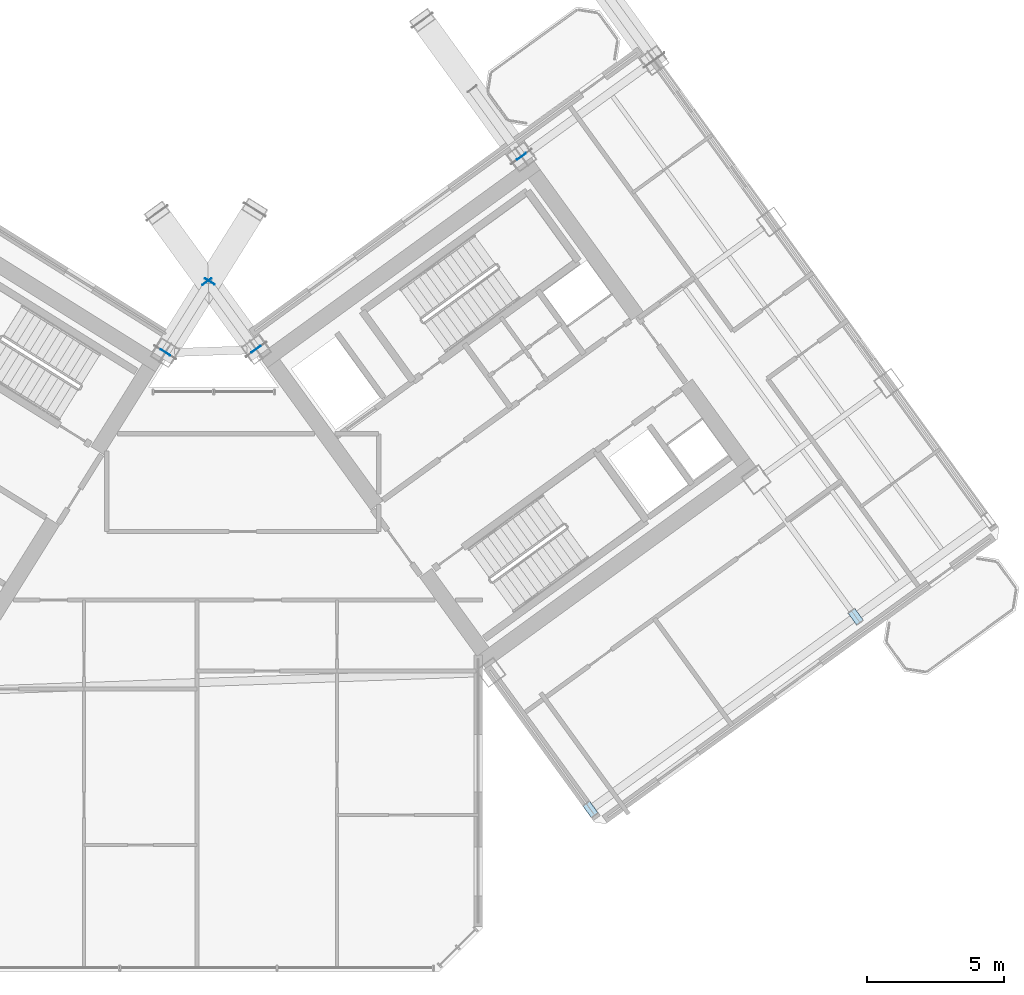
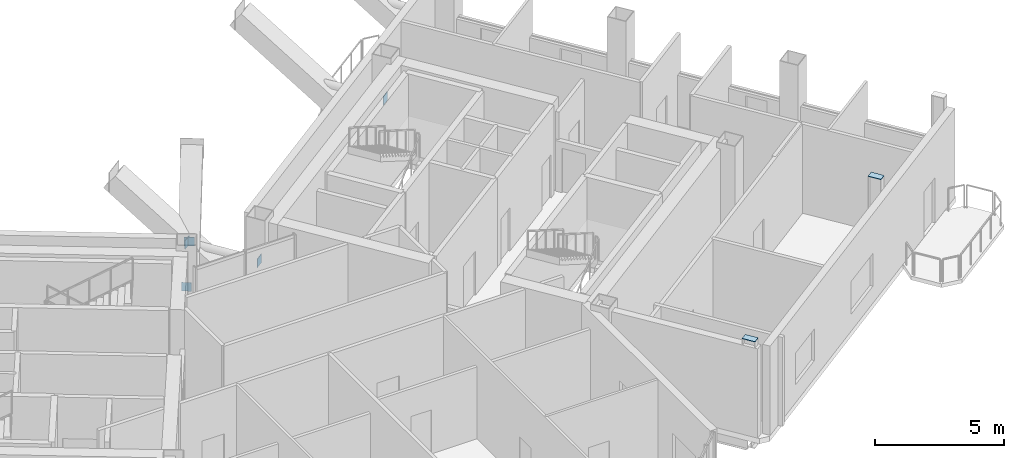
# One storey, part 19 of 34: 7 plates.
"""IFC4 building model written with IfcOpenShell, lengths in metres."""

import ifcopenshell
import ifcopenshell.guid

model = None  # the IFC model being written
_history = None  # IfcOwnerHistory: only IFC2X3 demands one
_inside = {}  # id of a spatial element -> (the spatial element, [elements in it])
_under = {}  # id of a project, library or spatial element -> (it, [spatial elements below it])
_declared = {}  # id of a project -> (the project, [libraries it declares])
_typed = {}  # id of a type object -> (the type object, [elements of that type])
_made_of = {}  # id of a material, layer set ... -> (it, [elements and type objects made of it])


def new_model(schema):
    """Start an empty IFC model of exactly this schema.

    Asked for "IFC4X3", IfcOpenShell would pick the latest addendum, in which some entities
    have other attributes; the version numbers below select the first issue.
    IFC2X3 requires an IfcOwnerHistory on every rooted entity: one is made here for all.
    """
    global model, _history
    if schema == "IFC4X3":
        model = ifcopenshell.file(schema_version=(4, 3, 0, 0))
    else:
        model = ifcopenshell.file(schema=schema)
    _inside.clear()
    _under.clear()
    _declared.clear()
    _typed.clear()
    _made_of.clear()
    _history = None
    if model.schema == "IFC2X3":
        org = make("IfcOrganization", Name="unknown")
        user = make(
            "IfcPersonAndOrganization",
            ThePerson=make("IfcPerson", FamilyName="unknown"),
            TheOrganization=org,
        )
        app = make(
            "IfcApplication",
            ApplicationDeveloper=org,
            Version="unknown",
            ApplicationFullName="unknown",
            ApplicationIdentifier="unknown",
        )
        _history = make(
            "IfcOwnerHistory",
            OwningUser=user,
            OwningApplication=app,
            ChangeAction="ADDED",
            CreationDate=0,
        )
    return model


def make(cls, **values):
    """One entity of the class cls with the attributes given. An attribute that is None is left unset."""
    return model.create_entity(
        cls, **{name: value for name, value in values.items() if value is not None}
    )


def rooted(cls, **values):
    """An entity with a GlobalId (a new one), such as an element, a storey or a relation."""
    return make(cls, GlobalId=ifcopenshell.guid.new(), OwnerHistory=_history, **values)


def si_unit(unit_type, name, prefix=None):
    """IfcSIUnit, for example si_unit("LENGTHUNIT", "METRE", prefix="MILLI")."""
    return make("IfcSIUnit", UnitType=unit_type, Prefix=prefix, Name=name)


def assignment(units):
    """IfcUnitAssignment: the units of a project."""
    return None if units is None else make("IfcUnitAssignment", Units=units)


def point(xyz):
    """IfcCartesianPoint."""
    return None if xyz is None else make("IfcCartesianPoint", Coordinates=xyz)


def direction(xyz):
    """IfcDirection."""
    return None if xyz is None else make("IfcDirection", DirectionRatios=xyz)


def frame(location, z_axis=None, x_axis=None):
    """IfcAxis2Placement3D, a coordinate frame: its origin and axes. An axis left out is left unset."""
    return make(
        "IfcAxis2Placement3D",
        Location=point(location),
        Axis=direction(z_axis),
        RefDirection=direction(x_axis),
    )


def frame_2d(location, x_axis=None):
    """IfcAxis2Placement2D, a coordinate frame in the plane: its origin and x axis."""
    return make(
        "IfcAxis2Placement2D", Location=point(location), RefDirection=direction(x_axis)
    )


def origin():
    """The frame at (0, 0, 0) with its axes left unset."""
    return frame((0.0, 0.0, 0.0))


def origin_2d():
    """The frame at (0, 0) in the plane with its x axis left unset."""
    return frame_2d((0.0, 0.0))


def place(relative_to, where):
    """IfcLocalPlacement: puts the frame where relative to a parent placement (None: the world)."""
    return make(
        "IfcLocalPlacement", PlacementRelTo=relative_to, RelativePlacement=where
    )


def context(
    kind, dimensions, precision=None, world=None, true_north=None, identifier=None
):
    """IfcGeometricRepresentationContext, for example the 3D "Model" context."""
    return make(
        "IfcGeometricRepresentationContext",
        ContextIdentifier=identifier,
        ContextType=kind,
        CoordinateSpaceDimension=dimensions,
        Precision=precision,
        WorldCoordinateSystem=world,
        TrueNorth=true_north,
    )


def subcontext(parent, identifier, kind, view, scale=None):
    """IfcGeometricRepresentationSubContext, for example "Body" below "Model"."""
    return make(
        "IfcGeometricRepresentationSubContext",
        ContextIdentifier=identifier,
        ContextType=kind,
        ParentContext=parent,
        TargetScale=scale,
        TargetView=view,
    )


def project(units=None, contexts=None):
    """IfcProject with its units and contexts."""
    return rooted(
        "IfcProject",
        Name="project",
        RepresentationContexts=contexts,
        UnitsInContext=assignment(units),
    )


def spatial(cls, under=None, at=None, **own):
    """A site, building, storey or space (cls), placed at a placement, below another one or the project."""
    s = rooted(cls, ObjectPlacement=at, **own)
    if under is not None:
        _under.setdefault(under.id(), (under, []))[1].append(s)
    return s


def profile(cls, at=None, kind="AREA", **sizes):
    """A parametric profile (cls). Its sizes go by their IFC names, for example OverallWidth=200.0."""
    return make(cls, ProfileType=kind, Position=at, **sizes)


def rectangle(**sizes):
    """IfcRectangleProfileDef."""
    return profile("IfcRectangleProfileDef", **sizes)


def extrude(swept, where, along, depth):
    """IfcExtrudedAreaSolid: the profile swept, set in the frame where, extruded along a direction by depth."""
    return make(
        "IfcExtrudedAreaSolid",
        SweptArea=swept,
        Position=where,
        ExtrudedDirection=direction(along),
        Depth=depth,
    )


def shape(context_of_items, identifier, shape_type, items):
    """IfcShapeRepresentation: the items that make up one representation, for example the "Body"."""
    return make(
        "IfcShapeRepresentation",
        ContextOfItems=context_of_items,
        RepresentationIdentifier=identifier,
        RepresentationType=shape_type,
        Items=items,
    )


def source(mapping_origin, context_of_items, identifier, shape_type, items):
    """IfcRepresentationMap: a shape defined once, which mapped items show again and again."""
    return make(
        "IfcRepresentationMap",
        MappingOrigin=mapping_origin,
        MappedRepresentation=shape(context_of_items, identifier, shape_type, items),
    )


def transform(
    local_origin,
    x_axis=None,
    y_axis=None,
    z_axis=None,
    scale=None,
    scale2=None,
    scale3=None,
    uniform=True,
):
    """IfcCartesianTransformationOperator3D, or its non-uniform kind. x_axis, y_axis, z_axis: its Axis1, 2, 3."""
    if uniform:
        return make(
            "IfcCartesianTransformationOperator3D",
            Axis1=direction(x_axis),
            Axis2=direction(y_axis),
            LocalOrigin=point(local_origin),
            Scale=scale,
            Axis3=direction(z_axis),
        )
    return make(
        "IfcCartesianTransformationOperator3DnonUniform",
        Axis1=direction(x_axis),
        Axis2=direction(y_axis),
        LocalOrigin=point(local_origin),
        Scale=scale,
        Axis3=direction(z_axis),
        Scale2=scale2,
        Scale3=scale3,
    )


def mapped(mapping_source, mapping_target):
    """IfcMappedItem: shows the shape of a source again, moved by a transform."""
    return make(
        "IfcMappedItem", MappingSource=mapping_source, MappingTarget=mapping_target
    )


def material(Name=None, Category=None):
    """IfcMaterial."""
    return make("IfcMaterial", Name=Name, Category=Category)


def layer(
    of_material, thickness, ventilated=None, Name=None, Category=None, Priority=None
):
    """IfcMaterialLayer: one layer of a wall or slab, of a material (None: an air gap)."""
    return make(
        "IfcMaterialLayer",
        Material=of_material,
        LayerThickness=thickness,
        IsVentilated=ventilated,
        Name=Name,
        Category=Category,
        Priority=Priority,
    )


def layer_set(layers, Name=None):
    """IfcMaterialLayerSet."""
    return make("IfcMaterialLayerSet", MaterialLayers=layers, LayerSetName=Name)


def made_of(thing, what):
    """Note that an element or type object is made of a material, layer set ...; save() writes the relation."""
    if what is not None:
        _made_of.setdefault(what.id(), (what, []))[1].append(thing)
    return thing


def type_object(cls, material=None, **own):
    """A type object (cls), such as IfcWallType, which elements share."""
    return made_of(rooted(cls, **own), material)


def element(
    cls,
    number,
    at=None,
    inside=None,
    cuts=None,
    type_object=None,
    material=None,
    context=None,
    identifier="Body",
    shape_type=None,
    held_by="IfcProductDefinitionShape",
    body=None,
    shapes=None,
    **own,
):
    """One element of the class cls, such as IfcWall. Its Tag is "e" and its number.

    at: its placement. inside: the storey or other place that contains it. cuts: it is an
    opening in that element (IfcRelVoidsElement). A single representation is given by context,
    identifier, shape_type and body (its items); several are given by shapes. held_by: the class
    of the entity that holds the representations. save() writes the other relations.
    """
    e = rooted(cls, Tag="e%d" % number, ObjectPlacement=at, **own)
    if body is not None:
        shapes = [shape(context, identifier, shape_type, body)]
    if shapes is not None:
        e.Representation = make(held_by, Representations=shapes)
    if inside is not None:
        _inside.setdefault(inside.id(), (inside, []))[1].append(e)
    if cuts is not None:
        rooted(
            "IfcRelVoidsElement", RelatingBuildingElement=cuts, RelatedOpeningElement=e
        )
    if type_object is not None:
        _typed.setdefault(type_object.id(), (type_object, []))[1].append(e)
    return made_of(e, material)


def aggregate(whole, parts):
    """IfcRelAggregates: a whole, such as a stair, and the parts it consists of."""
    return rooted("IfcRelAggregates", RelatingObject=whole, RelatedObjects=parts)


def save(model, path):
    """Write the relations noted so far, then the file.

    IfcRelAggregates (storeys below a building ...), IfcRelContainedInSpatialStructure (elements
    in a storey), IfcRelDefinesByType, IfcRelAssociatesMaterial and IfcRelDeclares: one each for
    every whole, place, type object, material and project.
    """
    for whole, parts in _under.values():
        aggregate(whole, parts)
    for where, things in _inside.values():
        rooted(
            "IfcRelContainedInSpatialStructure",
            RelatedElements=things,
            RelatingStructure=where,
        )
    for kind, things in _typed.values():
        rooted("IfcRelDefinesByType", RelatedObjects=things, RelatingType=kind)
    for what, things in _made_of.values():
        rooted("IfcRelAssociatesMaterial", RelatedObjects=things, RelatingMaterial=what)
    for by, libraries in _declared.values():
        rooted("IfcRelDeclares", RelatingContext=by, RelatedDefinitions=libraries)
    model.write(path)


model = new_model("IFC4")

# Units and contexts
model_context = context("Model", 3, precision=1e-05, world=origin(), true_north=direction((0.0, 1.0)))
body_context = subcontext(model_context, "Body", "Model", "MODEL_VIEW")
ifc_project = project(units=[si_unit("LENGTHUNIT", "METRE"), si_unit("AREAUNIT", "SQUARE_METRE"), si_unit("VOLUMEUNIT", "CUBIC_METRE"), si_unit("PLANEANGLEUNIT", "RADIAN"), si_unit("MASSUNIT", "GRAM", prefix="KILO")], contexts=[model_context])

# Site, building, storey
site_placement = place(None, origin())
site = spatial("IfcSite", under=ifc_project, at=site_placement, CompositionType="ELEMENT")
building_placement = place(site_placement, origin())
building = spatial("IfcBuilding", under=site, at=building_placement, Name="Tlacorven Tower", CompositionType="ELEMENT")
storey_placement = place(building_placement, frame((0.0, 0.0, 174.89990234375)))
storey = spatial("IfcBuildingStorey", under=building, at=storey_placement, Name="L44", CompositionType="ELEMENT", Elevation=174.89990234375)

# Plates
ifc_material = material(Name="Steel S460M", Category="steel")
ifc_layer = layer(ifc_material, 0.02392578125)
ifc_layer_set = layer_set([ifc_layer], Name="Steel S460M")
plate_type = type_object("IfcPlateType", Name="PL-CAP-END1", PredefinedType="USERDEFINED", material=ifc_layer_set)
shared_shape_1 = source(origin(), body_context, "Body", "SweptSolid", [
    extrude(rectangle(XDim=0.02392578125, YDim=0.40380859375, at=origin_2d()), origin(), (0.0, 0.0, 1.0), 0.40380859375),
])
for number, where, z_axis, x_axis, name in (
    (1, (40.79345703125, 24.4853515625, 2.048095703125), (0.0, 0.0, 1.0), (0.529920242032, 0.848047485159, 0.0), "L44 hollow end cap plate SBR-L44-W1 1"),
    (2, (42.4150390625, 27.080322265625, 2.048095703125), (0.0, 0.0, 1.0), (0.529920242032, 0.848047485159, 0.0), "L44 hollow end cap plate SBR-L44-W1 2"),
    (3, (44.112060546875, 24.601318359375, 2.048095703125), (0.0, 0.0, 1.0), (-0.587784872394, 0.809017270388, 0.0), "L44 hollow end cap plate SBR-L44-E1 1"),
    (4, (42.3134765625, 27.076904296875, 2.048095703125), (0.0, 0.0, 1.0), (-0.587784872394, 0.809017270388, 0.0), "L44 hollow end cap plate SBR-L44-E1 2"),
    (5, (53.8203125, 31.654541015625, 2.048095703125), (0.0, 0.0, 1.0), (-0.58778405524, 0.809017864083, 0.0), "L44 hollow end cap plate SBR-L44-E3 1"),
):
    element("IfcPlate", number, at=place(storey_placement, frame(where, z_axis=z_axis, x_axis=x_axis)), inside=storey, type_object=plate_type, Name=name, ObjectType="END PLATE", PredefinedType="USERDEFINED", context=body_context, shape_type="MappedRepresentation", body=[
        mapped(shared_shape_1, transform((0.0, 0.0, 0.0), scale=1.0)),
    ])
shared_shape_2 = source(origin(), body_context, "Body", "SweptSolid", [
    extrude(rectangle(XDim=0.300048828125, YDim=0.550048828125, at=origin_2d()), origin(), (0.0, 0.0, 1.0), 0.02392578125),
])
for number, where, z_axis, x_axis, name in (
    (6, (56.349609375, 7.757568359375, 4.498046875), (0.0, 0.0, 1.0), (0.809016994375, 0.587785252292, 0.0), "L44 Hollow Column Top Cap Plate COL-L44-E1-1"),
    (7, (66.057861328125, 14.81103515625, 4.498046875), (0.0, 0.0, 1.0), (0.809016994375, 0.587785252292, 0.0), "L44 Hollow Column Top Cap Plate COL-L44-E3-1"),
):
    element("IfcPlate", number, at=place(storey_placement, frame(where, z_axis=z_axis, x_axis=x_axis)), inside=storey, type_object=plate_type, Name=name, ObjectType="END PLATE", PredefinedType="USERDEFINED", context=body_context, shape_type="MappedRepresentation", body=[
        mapped(shared_shape_2, transform((0.0, 0.0, 0.0), scale=1.0)),
    ])

save(model, "model.ifc")
